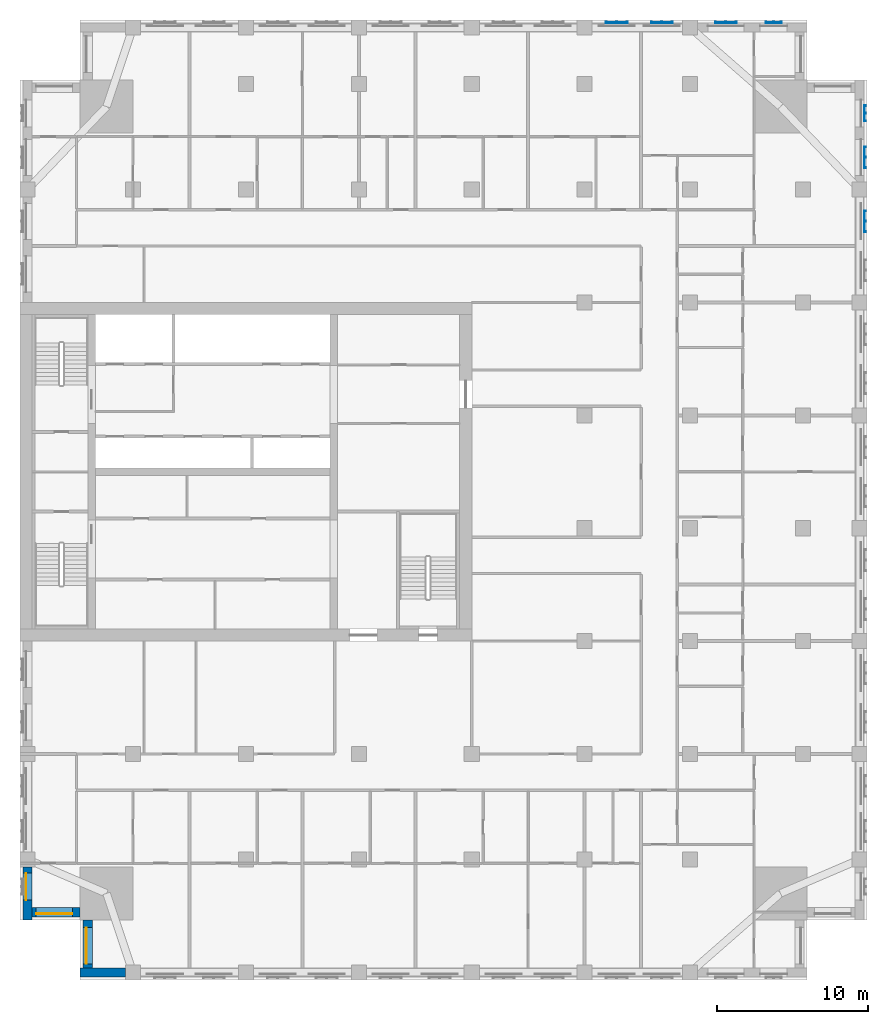
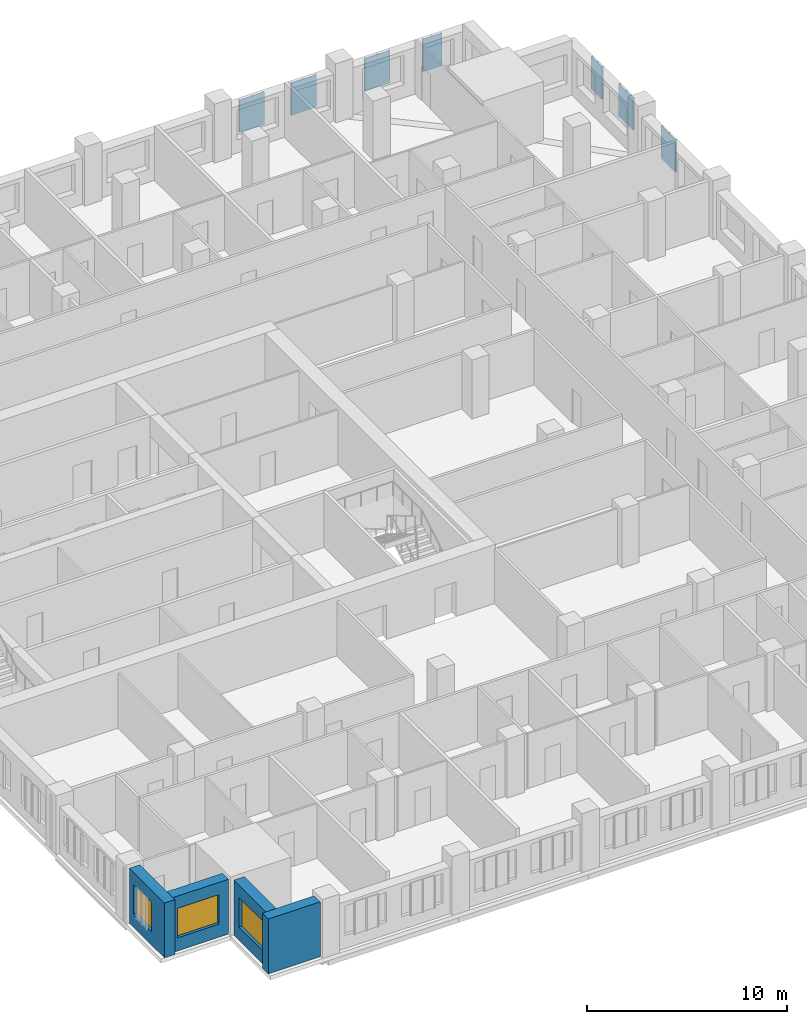
# One storey, part 3 of 14: 7 plates, 4 walls, 3 windows, 3 openings.
"""IFC4 building model written with IfcOpenShell, lengths in metres."""

from ifc_helpers import new_model, si_unit, direction, frame, frame_2d, origin, place, context, subcontext, project, spatial, polyline, rectangle, outline, extrude, material, layer, layer_set, type_object, element, fill, save


model = new_model("IFC4")

# Units and contexts
model_context = context("Model", 3, precision=1e-05, world=origin(), true_north=direction((0.0, 1.0)))
body_context = subcontext(model_context, "Body", "Model", "MODEL_VIEW")
ifc_project = project(units=[si_unit("LENGTHUNIT", "METRE"), si_unit("AREAUNIT", "SQUARE_METRE"), si_unit("VOLUMEUNIT", "CUBIC_METRE"), si_unit("PLANEANGLEUNIT", "RADIAN"), si_unit("MASSUNIT", "GRAM", prefix="KILO")], contexts=[model_context])

# Site, building, storey
site_placement = place(None, origin())
site = spatial("IfcSite", under=ifc_project, at=site_placement, CompositionType="ELEMENT")
building_placement = place(site_placement, origin())
building = spatial("IfcBuilding", under=site, at=building_placement, Name="Tamorin Gate", CompositionType="ELEMENT")
storey_placement = place(building_placement, frame((0.0, 0.0, 148.199951171875)))
storey = spatial("IfcBuildingStorey", under=building, at=storey_placement, Name="L36", CompositionType="ELEMENT", Elevation=148.199951171875)

# Plates
ifc_material_1 = material(Name="Perforated pale aluminium sheet", Category="aluminium")
ifc_layer_1 = layer(ifc_material_1, 0.0400390625)
ifc_layer_set_1 = layer_set([ifc_layer_1], Name="Pale metal solar screen 1080")
plate_type_1 = type_object("IfcPlateType", Name="Pale metal solar screen 1080", PredefinedType="SHEET", material=ifc_layer_set_1)
plate_1_placement = place(storey_placement, frame((0.0, 0.0, 0.7099609375)))
element("IfcPlate", 1, at=plate_1_placement, inside=storey, type_object=plate_type_1, Name="Perforated solar screen", PredefinedType="SHEET", context=body_context, shape_type="SweptSolid", body=[
    extrude(outline(polyline([(86.090087890625, 94.510009765625), (86.050048828125, 94.510009765625), (86.050048828125, 94.570068359375), (86.050048828125, 95.02001953125), (86.050048828125, 95.080078125), (86.050048828125, 95.530029296875), (86.050048828125, 95.590087890625), (86.090087890625, 95.590087890625), (86.14990234375, 95.590087890625), (86.14990234375, 95.530029296875), (86.090087890625, 95.530029296875), (86.090087890625, 95.080078125), (86.14990234375, 95.080078125), (86.14990234375, 95.02001953125), (86.090087890625, 95.02001953125), (86.090087890625, 94.570068359375), (86.14990234375, 94.570068359375), (86.14990234375, 94.510009765625), (86.090087890625, 94.510009765625)])), origin(), (0.0, 0.0, 1.0), 1.97998046875),
])
plate_2_placement = place(storey_placement, frame((0.0, 0.0, 0.7099609375)))
element("IfcPlate", 2, at=plate_2_placement, inside=storey, type_object=plate_type_1, Name="Perforated solar screen", PredefinedType="SHEET", context=body_context, shape_type="SweptSolid", body=[
    extrude(outline(polyline([(80.590087890625, 101.090087890625), (80.590087890625, 101.050048828125), (80.530029296875, 101.050048828125), (80.080078125, 101.050048828125), (80.02001953125, 101.050048828125), (79.570068359375, 101.050048828125), (79.510009765625, 101.050048828125), (79.510009765625, 101.090087890625), (79.510009765625, 101.14990234375), (79.570068359375, 101.14990234375), (79.570068359375, 101.090087890625), (80.02001953125, 101.090087890625), (80.02001953125, 101.14990234375), (80.080078125, 101.14990234375), (80.080078125, 101.090087890625), (80.530029296875, 101.090087890625), (80.530029296875, 101.14990234375), (80.590087890625, 101.14990234375), (80.590087890625, 101.090087890625)])), origin(), (0.0, 0.0, 1.0), 1.97998046875),
])
ifc_layer_2 = layer(ifc_material_1, 0.0400390625)
ifc_layer_set_2 = layer_set([ifc_layer_2], Name="Pale metal solar screen 1440")
plate_type_2 = type_object("IfcPlateType", Name="Pale metal solar screen 1440", PredefinedType="SHEET", material=ifc_layer_set_2)
plate_3_placement = place(storey_placement, frame((0.0, 0.0, 0.7099609375)))
element("IfcPlate", 3, at=plate_3_placement, inside=storey, type_object=plate_type_2, Name="Perforated solar screen", PredefinedType="SHEET", context=body_context, shape_type="SweptSolid", body=[
    extrude(outline(polyline([(86.090087890625, 87.155029296875), (86.050048828125, 87.155029296875), (86.050048828125, 87.215087890625), (86.050048828125, 87.844970703125), (86.050048828125, 87.905029296875), (86.050048828125, 88.534912109375), (86.050048828125, 88.594970703125), (86.090087890625, 88.594970703125), (86.14990234375, 88.594970703125), (86.14990234375, 88.534912109375), (86.090087890625, 88.534912109375), (86.090087890625, 87.905029296875), (86.14990234375, 87.905029296875), (86.14990234375, 87.844970703125), (86.090087890625, 87.844970703125), (86.090087890625, 87.215087890625), (86.14990234375, 87.215087890625), (86.14990234375, 87.155029296875), (86.090087890625, 87.155029296875)])), origin(), (0.0, 0.0, 1.0), 1.97998046875),
])
plate_4_placement = place(storey_placement, frame((0.0, 0.0, 0.7099609375)))
element("IfcPlate", 4, at=plate_4_placement, inside=storey, type_object=plate_type_2, Name="Perforated solar screen", PredefinedType="SHEET", context=body_context, shape_type="SweptSolid", body=[
    extrude(outline(polyline([(86.090087890625, 91.405029296875), (86.050048828125, 91.405029296875), (86.050048828125, 91.465087890625), (86.050048828125, 92.094970703125), (86.050048828125, 92.155029296875), (86.050048828125, 92.784912109375), (86.050048828125, 92.844970703125), (86.090087890625, 92.844970703125), (86.14990234375, 92.844970703125), (86.14990234375, 92.784912109375), (86.090087890625, 92.784912109375), (86.090087890625, 92.155029296875), (86.14990234375, 92.155029296875), (86.14990234375, 92.094970703125), (86.090087890625, 92.094970703125), (86.090087890625, 91.465087890625), (86.14990234375, 91.465087890625), (86.14990234375, 91.405029296875), (86.090087890625, 91.405029296875)])), origin(), (0.0, 0.0, 1.0), 1.97998046875),
])
plate_5_placement = place(storey_placement, frame((0.0, 0.0, 0.7099609375)))
element("IfcPlate", 5, at=plate_5_placement, inside=storey, type_object=plate_type_2, Name="Perforated solar screen", PredefinedType="SHEET", context=body_context, shape_type="SweptSolid", body=[
    extrude(outline(polyline([(77.594970703125, 101.090087890625), (77.594970703125, 101.050048828125), (77.534912109375, 101.050048828125), (76.905029296875, 101.050048828125), (76.844970703125, 101.050048828125), (76.215087890625, 101.050048828125), (76.155029296875, 101.050048828125), (76.155029296875, 101.050048828125), (76.155029296875, 101.090087890625), (76.155029296875, 101.090087890625), (76.155029296875, 101.14990234375), (76.215087890625, 101.14990234375), (76.215087890625, 101.090087890625), (76.844970703125, 101.090087890625), (76.844970703125, 101.14990234375), (76.905029296875, 101.14990234375), (76.905029296875, 101.090087890625), (77.534912109375, 101.090087890625), (77.534912109375, 101.14990234375), (77.594970703125, 101.14990234375), (77.594970703125, 101.090087890625)])), origin(), (0.0, 0.0, 1.0), 1.97998046875),
])
plate_6_placement = place(storey_placement, frame((0.0, 0.0, 0.7099609375)))
element("IfcPlate", 6, at=plate_6_placement, inside=storey, type_object=plate_type_2, Name="Perforated solar screen", PredefinedType="SHEET", context=body_context, shape_type="SweptSolid", body=[
    extrude(outline(polyline([(70.344970703125, 101.090087890625), (70.344970703125, 101.050048828125), (70.284912109375, 101.050048828125), (69.655029296875, 101.050048828125), (69.594970703125, 101.050048828125), (68.965087890625, 101.050048828125), (68.905029296875, 101.050048828125), (68.905029296875, 101.090087890625), (68.905029296875, 101.14990234375), (68.965087890625, 101.14990234375), (68.965087890625, 101.090087890625), (69.594970703125, 101.090087890625), (69.594970703125, 101.14990234375), (69.655029296875, 101.14990234375), (69.655029296875, 101.090087890625), (70.284912109375, 101.090087890625), (70.284912109375, 101.14990234375), (70.344970703125, 101.14990234375), (70.344970703125, 101.090087890625)])), origin(), (0.0, 0.0, 1.0), 1.97998046875),
])
plate_7_placement = place(storey_placement, frame((0.0, 0.0, 0.7099609375)))
element("IfcPlate", 7, at=plate_7_placement, inside=storey, type_object=plate_type_2, Name="Perforated solar screen", PredefinedType="SHEET", context=body_context, shape_type="SweptSolid", body=[
    extrude(outline(polyline([(73.344970703125, 101.090087890625), (73.344970703125, 101.050048828125), (73.284912109375, 101.050048828125), (72.655029296875, 101.050048828125), (72.594970703125, 101.050048828125), (71.965087890625, 101.050048828125), (71.905029296875, 101.050048828125), (71.905029296875, 101.090087890625), (71.905029296875, 101.14990234375), (71.965087890625, 101.14990234375), (71.965087890625, 101.090087890625), (72.594970703125, 101.090087890625), (72.594970703125, 101.14990234375), (72.655029296875, 101.14990234375), (72.655029296875, 101.090087890625), (73.284912109375, 101.090087890625), (73.284912109375, 101.14990234375), (73.344970703125, 101.14990234375), (73.344970703125, 101.090087890625)])), origin(), (0.0, 0.0, 1.0), 1.97998046875),
])

# Wall
ifc_material_2 = material(Name="Precast concrete C40/50", Category="concrete")
ifc_layer_3 = layer(ifc_material_2, 0.60009765625)
ifc_layer_set_3 = layer_set([ifc_layer_3], Name="Precast concrete C40/50")
wall_type = type_object("IfcWallType", Name="Board-marked concrete facade panel 600", PredefinedType="SOLIDWALL", material=ifc_layer_set_3)
wall_1_placement = place(storey_placement, frame((34.0, 38.0, 0.0), z_axis=(0.0, 0.0, 1.0), x_axis=(1.0, 0.0, 0.0)))
element("IfcWall", 8, at=wall_1_placement, inside=storey, type_object=wall_type, Name="Facade panel", PredefinedType="SOLIDWALL", context=body_context, shape_type="SweptSolid", body=[
    extrude(rectangle(XDim=3.0, YDim=0.60009765625, at=frame_2d((1.5, 0.0))), origin(), (0.0, 0.0, 1.0), 3.35009765625),
])

# Wall, opening, window
wall_2_placement = place(storey_placement, frame((30.5, 45.0, 0.0), z_axis=(0.0, 0.0, 1.0), x_axis=(0.0, -1.0, 0.0)))
wall_2 = element("IfcWall", 9, at=wall_2_placement, inside=storey, type_object=wall_type, Name="Facade panel", PredefinedType="SOLIDWALL", context=body_context, shape_type="SweptSolid", body=[
    extrude(rectangle(XDim=3.5, YDim=0.60009765625, at=frame_2d((1.75, 0.0))), origin(), (0.0, 0.0, 1.0), 3.35009765625),
])
opening_1_placement = place(wall_2_placement, frame((0.39990234375, 0.0, 0.800048828125)))
opening_1 = element("IfcOpeningElement", 10, at=opening_1_placement, cuts=wall_2, Name="Opening WN2", PredefinedType="OPENING", context=body_context, shape_type="SweptSolid", body=[
    extrude(rectangle(XDim=1.800048828125, YDim=1.800048828125, at=frame_2d((0.89990234375, 0.89990234375))), frame((0.0, 0.31005859375, 0.0), z_axis=(0.0, -1.0, 0.0), x_axis=(1.0, 0.0, 0.0)), (0.0, 0.0, 1.0), 0.6201171875),
])
ifc_material_3 = material(Name="Clear glass in aluminium frame", Category="aluminium")
window_type_1 = type_object("IfcWindowType", Name="Deep-set window 1800x1800", PartitioningType="SINGLE_PANEL", PredefinedType="WINDOW", material=ifc_material_3)
window_1_placement = place(opening_1_placement, origin())
window_1 = element("IfcWindow", 11, at=window_1_placement, inside=storey, type_object=window_type_1, Name="Deep-set window", OverallHeight=1.800048828125, OverallWidth=1.800048828125, PartitioningType="SINGLE_PANEL", PredefinedType="WINDOW", context=body_context, shape_type="SweptSolid", body=[
    extrude(rectangle(XDim=1.800048828125, YDim=1.800048828125, at=frame_2d((0.89990234375, 0.89990234375))), frame((0.0, -0.070068359375, 0.0), z_axis=(0.0, -1.0, 0.0), x_axis=(1.0, 0.0, 0.0)), (0.0, 0.0, 1.0), 0.06005859375),
])
fill(opening_1, window_1)

wall_3_placement = place(storey_placement, frame((30.800048828125, 42.0, 0.0), z_axis=(0.0, 0.0, 1.0), x_axis=(1.0, 0.0, 0.0)))
wall_3 = element("IfcWall", 12, at=wall_3_placement, inside=storey, type_object=wall_type, Name="Facade panel", PredefinedType="SOLIDWALL", context=body_context, shape_type="SweptSolid", body=[
    extrude(rectangle(XDim=3.199951171875, YDim=0.60009765625, at=frame_2d((1.60009765625, 0.0))), origin(), (0.0, 0.0, 1.0), 3.35009765625),
])
opening_2_placement = place(wall_3_placement, frame((0.27490234375, 0.0, 0.800048828125)))
opening_2 = element("IfcOpeningElement", 13, at=opening_2_placement, cuts=wall_3, Name="Opening WN1", PredefinedType="OPENING", context=body_context, shape_type="SweptSolid", body=[
    extrude(rectangle(XDim=2.39990234375, YDim=1.800048828125, at=frame_2d((1.199951171875, 0.89990234375))), frame((0.0, 0.31005859375, 0.0), z_axis=(0.0, -1.0, 0.0), x_axis=(1.0, 0.0, 0.0)), (0.0, 0.0, 1.0), 0.6201171875),
])
window_type_2 = type_object("IfcWindowType", Name="Deep-set window 2400x1800", PartitioningType="SINGLE_PANEL", PredefinedType="WINDOW", material=ifc_material_3)
window_2_placement = place(opening_2_placement, origin())
window_2 = element("IfcWindow", 14, at=window_2_placement, inside=storey, type_object=window_type_2, Name="Deep-set window", OverallHeight=1.800048828125, OverallWidth=2.39990234375, PartitioningType="SINGLE_PANEL", PredefinedType="WINDOW", context=body_context, shape_type="SweptSolid", body=[
    extrude(rectangle(XDim=2.39990234375, YDim=1.800048828125, at=frame_2d((1.199951171875, 0.89990234375))), frame((0.0, -0.070068359375, 0.0), z_axis=(0.0, -1.0, 0.0), x_axis=(1.0, 0.0, 0.0)), (0.0, 0.0, 1.0), 0.06005859375),
])
fill(opening_2, window_2)

wall_4_placement = place(storey_placement, frame((34.5, 41.5, 0.0), z_axis=(0.0, 0.0, 1.0), x_axis=(0.0, -1.0, 0.0)))
wall_4 = element("IfcWall", 15, at=wall_4_placement, inside=storey, type_object=wall_type, Name="Facade panel", PredefinedType="SOLIDWALL", context=body_context, shape_type="SweptSolid", body=[
    extrude(rectangle(XDim=3.199951171875, YDim=0.60009765625, at=frame_2d((1.60009765625, 0.0))), origin(), (0.0, 0.0, 1.0), 3.35009765625),
])
opening_3_placement = place(wall_4_placement, frame((0.52490234375, 0.0, 0.800048828125)))
opening_3 = element("IfcOpeningElement", 16, at=opening_3_placement, cuts=wall_4, Name="Opening WN1", PredefinedType="OPENING", context=body_context, shape_type="SweptSolid", body=[
    extrude(rectangle(XDim=2.39990234375, YDim=1.800048828125, at=frame_2d((1.199951171875, 0.89990234375))), frame((0.0, 0.31005859375, 0.0), z_axis=(0.0, -1.0, 0.0), x_axis=(1.0, 0.0, 0.0)), (0.0, 0.0, 1.0), 0.6201171875),
])
window_3_placement = place(opening_3_placement, origin())
window_3 = element("IfcWindow", 17, at=window_3_placement, inside=storey, type_object=window_type_2, Name="Deep-set window", OverallHeight=1.800048828125, OverallWidth=2.39990234375, PartitioningType="SINGLE_PANEL", PredefinedType="WINDOW", context=body_context, shape_type="SweptSolid", body=[
    extrude(rectangle(XDim=2.39990234375, YDim=1.800048828125, at=frame_2d((1.199951171875, 0.89990234375))), frame((0.0, -0.070068359375, 0.0), z_axis=(0.0, -1.0, 0.0), x_axis=(1.0, 0.0, 0.0)), (0.0, 0.0, 1.0), 0.06005859375),
])
fill(opening_3, window_3)

save(model, "model.ifc")
